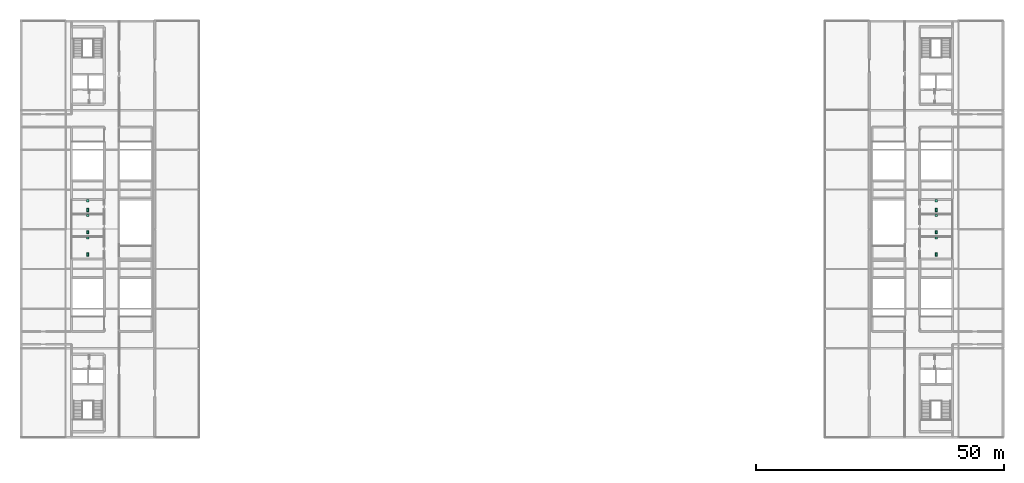
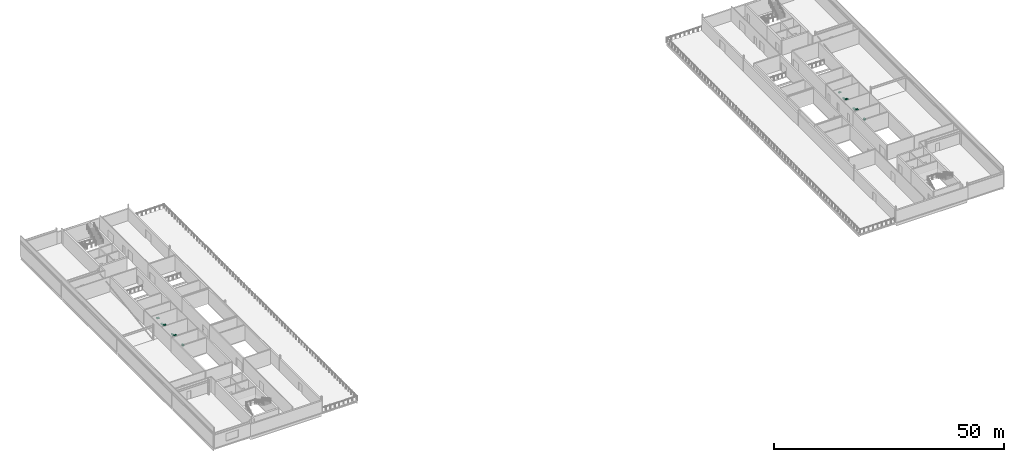
# One storey, part 23 of 23: 12 sanitary terminals.
"""IFC4 building model written with IfcOpenShell, lengths in metres."""

from ifc_helpers import new_model, si_unit, direction, frame, origin, origin_2d, place, context, subcontext, project, spatial, rectangle, extrude, material, type_object, element, save


model = new_model("IFC4")

# Units and contexts
model_context = context("Model", 3, precision=1e-05, world=origin(), true_north=direction((0.0, 1.0)))
body_context = subcontext(model_context, "Body", "Model", "MODEL_VIEW")
ifc_project = project(units=[si_unit("LENGTHUNIT", "METRE"), si_unit("AREAUNIT", "SQUARE_METRE"), si_unit("VOLUMEUNIT", "CUBIC_METRE"), si_unit("PLANEANGLEUNIT", "RADIAN"), si_unit("MASSUNIT", "GRAM", prefix="KILO")], contexts=[model_context])

# Site, building, storey
site_placement = place(None, origin())
site = spatial("IfcSite", under=ifc_project, at=site_placement, CompositionType="ELEMENT")
building_placement = place(site_placement, origin())
building = spatial("IfcBuilding", under=site, at=building_placement, Name="Kisiwana Market Hall", CompositionType="ELEMENT")
storey_placement = place(building_placement, frame((0.0, 0.0, 65.699951171875)))
storey = spatial("IfcBuildingStorey", under=building, at=storey_placement, Name="L15", CompositionType="ELEMENT", Elevation=65.699951171875)

# Sanitary terminals
ifc_material_1 = material(Name="Vitreous china")
sanitary_terminal_type_1 = type_object("IfcSanitaryTerminalType", Name="SAN-BASIN", PredefinedType="WASHHANDBASIN", material=ifc_material_1)
for number, where, z_axis, x_axis, name in (
    (1, (13.5, 58.25, 0.68017578125), (0.0, 0.0, 1.0), (1.0, 0.0, 0.0), "Washhand basin L15-0097"),
    (2, (13.5, 62.75, 0.68017578125), (0.0, 0.0, 1.0), (1.0, 0.0, 0.0), "Washhand basin L15-0098"),
    (3, (13.5, 65.75, 0.68017578125), (0.0, 0.0, 1.0), (1.0, 0.0, 0.0), "Washhand basin L15-0099"),
    (4, (184.5, 58.25, 0.68017578125), (0.0, 0.0, 1.0), (1.0, 0.0, 0.0), "Washhand basin L15-0100"),
    (5, (184.5, 62.75, 0.68017578125), (0.0, 0.0, 1.0), (1.0, 0.0, 0.0), "Washhand basin L15-0101"),
    (6, (184.5, 65.75, 0.68017578125), (0.0, 0.0, 1.0), (1.0, 0.0, 0.0), "Washhand basin L15-0102"),
):
    element("IfcSanitaryTerminal", number, at=place(storey_placement, frame(where, z_axis=z_axis, x_axis=x_axis)), inside=storey, type_object=sanitary_terminal_type_1, Name=name, PredefinedType="WASHHANDBASIN", context=body_context, shape_type="SweptSolid", body=[
        extrude(rectangle(XDim=0.550048828125, YDim=0.449951171875, at=origin_2d()), origin(), (0.0, 0.0, 1.0), 0.199951171875),
    ])
ifc_material_2 = material(Name="Vitreous china")
sanitary_terminal_type_2 = type_object("IfcSanitaryTerminalType", Name="SAN-WC-PAN", PredefinedType="TOILETPAN", material=ifc_material_2)
for number, where, z_axis, x_axis, name in (
    (7, (13.5, 54.89990234375, 0.0), (0.0, 0.0, 1.0), (1.0, 0.0, 0.0), "WC pan L15-0097"),
    (8, (13.5, 59.39990234375, 0.0), (0.0, 0.0, 1.0), (1.0, 0.0, 0.0), "WC pan L15-0098"),
    (9, (13.5, 63.89990234375, 0.0), (0.0, 0.0, 1.0), (1.0, 0.0, 0.0), "WC pan L15-0099"),
    (10, (184.5, 54.89990234375, 0.0), (0.0, 0.0, 1.0), (1.0, 0.0, 0.0), "WC pan L15-0100"),
    (11, (184.5, 59.39990234375, 0.0), (0.0, 0.0, 1.0), (1.0, 0.0, 0.0), "WC pan L15-0101"),
    (12, (184.5, 63.89990234375, 0.0), (0.0, 0.0, 1.0), (1.0, 0.0, 0.0), "WC pan L15-0102"),
):
    element("IfcSanitaryTerminal", number, at=place(storey_placement, frame(where, z_axis=z_axis, x_axis=x_axis)), inside=storey, type_object=sanitary_terminal_type_2, Name=name, PredefinedType="TOILETPAN", context=body_context, shape_type="SweptSolid", body=[
        extrude(rectangle(XDim=0.39990234375, YDim=0.64990234375, at=origin_2d()), origin(), (0.0, 0.0, 1.0), 0.419921875),
    ])

save(model, "model.ifc")
